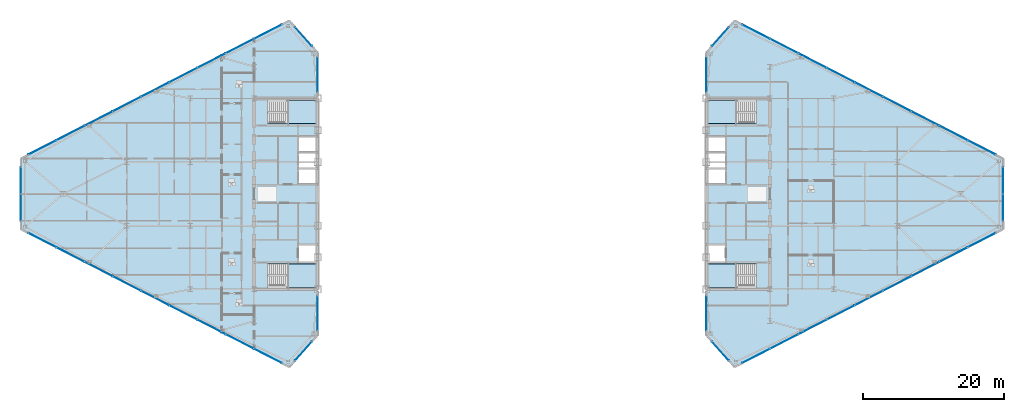
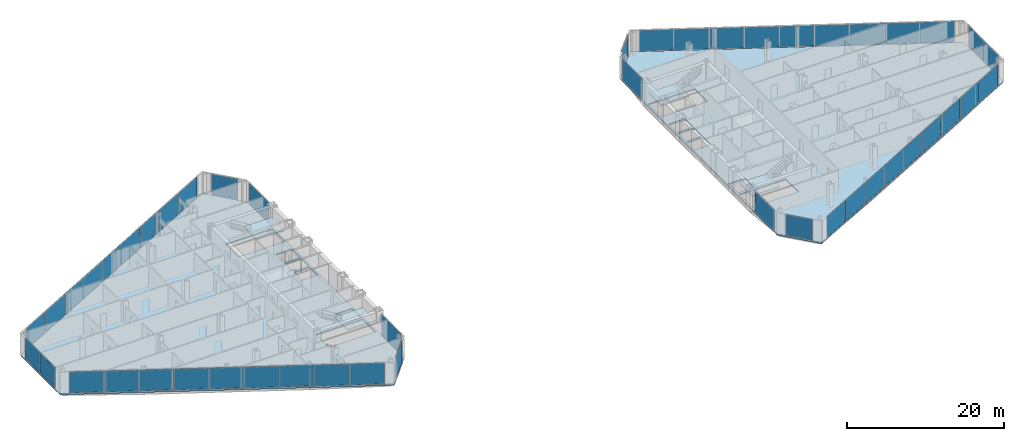
# One storey, part 14 of 23: 48 plates, 6 slabs, 18 elements without a shape of their own.
"""IFC4 building model written with IfcOpenShell, lengths in metres."""

from ifc_helpers import new_model, si_unit, direction, frame, origin, origin_2d, place, context, subcontext, project, spatial, polyline, rectangle, outline, extrude, source, transform, mapped, material, layer, layer_set, type_object, type_shapes, element, aggregate, save


model = new_model("IFC4")

# Units and contexts
model_context = context("Model", 3, precision=1e-05, world=origin(), true_north=direction((0.0, 1.0)))
body_context = subcontext(model_context, "Body", "Model", "MODEL_VIEW")
ifc_project = project(units=[si_unit("LENGTHUNIT", "METRE"), si_unit("AREAUNIT", "SQUARE_METRE"), si_unit("VOLUMEUNIT", "CUBIC_METRE"), si_unit("PLANEANGLEUNIT", "RADIAN"), si_unit("MASSUNIT", "GRAM", prefix="KILO")], contexts=[model_context])

# Site, building, storey
site_placement = place(None, origin())
site = spatial("IfcSite", under=ifc_project, at=site_placement, CompositionType="ELEMENT")
building_placement = place(site_placement, origin())
building = spatial("IfcBuilding", under=site, at=building_placement, Name="Seokmaru Belvedere", CompositionType="ELEMENT")
storey_placement = place(building_placement, frame((0.0, 0.0, 147.60009765625)))
storey = spatial("IfcBuildingStorey", under=building, at=storey_placement, Name="L39", CompositionType="ELEMENT", Elevation=147.60009765625)

# Stair, slab
ifc_material_1 = material(Name="Concrete C40 (40 MPa)", Category="concrete")
stair_type = type_object("IfcStairType", Name="Typical Tower Core Dog-Leg Stair 3600", PredefinedType="TWO_STRAIGHT_RUN_STAIR", material=ifc_material_1)
stair_1_placement = place(storey_placement, origin())
stair_1 = element("IfcStair", 1, at=stair_1_placement, inside=storey, type_object=stair_type, Name="L39 Special Escape Stair ST-W1", PredefinedType="TWO_STRAIGHT_RUN_STAIR")
ifc_layer_1 = layer(ifc_material_1, 0.199951171875)
ifc_layer_set_1 = layer_set([ifc_layer_1], Name="Concrete C40 (40 MPa)")
slab_type_1 = type_object("IfcSlabType", Name="Reinforced Concrete Stair Landing Slab 200", PredefinedType="LANDING", material=ifc_layer_set_1)
slab_1_placement = place(storey_placement, frame((0.0, 0.0, 1.599853515625)))
slab_1 = element("IfcSlab", 2, at=slab_1_placement, type_object=slab_type_1, Name="ST-W1 landing 1", PredefinedType="LANDING", context=body_context, shape_type="SweptSolid", body=[
    extrude(outline(polyline([(-31.8798828125, -13.239990234375), (-27.760009765625, -13.239990234375), (-27.760009765625, -9.949951171875), (-31.8798828125, -9.949951171875), (-31.8798828125, -13.239990234375)])), origin(), (0.0, 0.0, 1.0), 0.199951171875),
])
aggregate(stair_1, [slab_1])

stair_2_placement = place(storey_placement, origin())
stair_2 = element("IfcStair", 3, at=stair_2_placement, inside=storey, type_object=stair_type, Name="L39 Special Escape Stair ST-W2", PredefinedType="TWO_STRAIGHT_RUN_STAIR")
slab_2_placement = place(storey_placement, frame((0.0, 0.0, 1.599853515625)))
slab_2 = element("IfcSlab", 4, at=slab_2_placement, type_object=slab_type_1, Name="ST-W2 landing 1", PredefinedType="LANDING", context=body_context, shape_type="SweptSolid", body=[
    extrude(outline(polyline([(-31.8798828125, 9.949951171875), (-27.760009765625, 9.949951171875), (-27.760009765625, 13.239990234375), (-31.8798828125, 13.239990234375), (-31.8798828125, 9.949951171875)])), origin(), (0.0, 0.0, 1.0), 0.199951171875),
])
aggregate(stair_2, [slab_2])

stair_3_placement = place(storey_placement, origin())
stair_3 = element("IfcStair", 5, at=stair_3_placement, inside=storey, type_object=stair_type, Name="L39 Special Escape Stair ST-E1", PredefinedType="TWO_STRAIGHT_RUN_STAIR")
slab_3_placement = place(storey_placement, frame((0.0, 0.0, 1.599853515625)))
slab_3 = element("IfcSlab", 6, at=slab_3_placement, type_object=slab_type_1, Name="ST-E1 landing 1", PredefinedType="LANDING", context=body_context, shape_type="SweptSolid", body=[
    extrude(outline(polyline([(27.760009765625, -13.239990234375), (31.8798828125, -13.239990234375), (31.8798828125, -9.949951171875), (27.760009765625, -9.949951171875), (27.760009765625, -13.239990234375)])), origin(), (0.0, 0.0, 1.0), 0.199951171875),
])
aggregate(stair_3, [slab_3])

stair_4_placement = place(storey_placement, origin())
stair_4 = element("IfcStair", 7, at=stair_4_placement, inside=storey, type_object=stair_type, Name="L39 Special Escape Stair ST-E2", PredefinedType="TWO_STRAIGHT_RUN_STAIR")
slab_4_placement = place(storey_placement, frame((0.0, 0.0, 1.599853515625)))
slab_4 = element("IfcSlab", 8, at=slab_4_placement, type_object=slab_type_1, Name="ST-E2 landing 1", PredefinedType="LANDING", context=body_context, shape_type="SweptSolid", body=[
    extrude(outline(polyline([(27.760009765625, 9.949951171875), (31.8798828125, 9.949951171875), (31.8798828125, 13.239990234375), (27.760009765625, 13.239990234375), (27.760009765625, 9.949951171875)])), origin(), (0.0, 0.0, 1.0), 0.199951171875),
])
aggregate(stair_4, [slab_4])

# Slabs
ifc_layer_2 = layer(ifc_material_1, 0.219970703125)
ifc_layer_set_2 = layer_set([ifc_layer_2], Name="Concrete C40 (40 MPa)")
slab_type_2 = type_object("IfcSlabType", Name="Typical Tower Composite Floor Slab 220", PredefinedType="FLOOR", material=ifc_layer_set_2)
slab_5_placement = place(storey_placement, frame((0.0, 0.0, -0.22021484375)))
element("IfcSlab", 9, at=slab_5_placement, inside=storey, type_object=slab_type_2, Name="L39 West Leg Floor Slab", PredefinedType="FLOOR", context=body_context, shape_type="SweptSolid", body=[
    extrude(outline(polyline([(-27.5, -20.0), (-27.5, 20.0), (-31.5, 24.5), (-69.5, 5.0), (-69.5, -5.0), (-31.5, -24.5), (-27.5, -20.0)]), holes=[polyline([(-34.60009765625, -13.25), (-27.75, -13.25), (-27.75, -9.949951171875), (-34.60009765625, -9.949951171875), (-34.60009765625, -13.25)]), polyline([(-34.60009765625, 9.949951171875), (-27.75, 9.949951171875), (-27.75, 13.25), (-34.60009765625, 13.25), (-34.60009765625, 9.949951171875)]), polyline([(-30.14990234375, -9.550048828125), (-27.75, -9.550048828125), (-27.75, -7.25), (-30.14990234375, -7.25), (-30.14990234375, -9.550048828125)]), polyline([(-30.14990234375, 1.449951171875), (-27.75, 1.449951171875), (-27.75, 3.449951171875), (-30.14990234375, 3.449951171875), (-30.14990234375, 1.449951171875)]), polyline([(-30.14990234375, 3.75), (-27.75, 3.75), (-27.75, 5.75), (-30.14990234375, 5.75), (-30.14990234375, 3.75)]), polyline([(-30.14990234375, 6.050048828125), (-27.75, 6.050048828125), (-27.75, 8.050048828125), (-30.14990234375, 8.050048828125), (-30.14990234375, 6.050048828125)])]), origin(), (0.0, 0.0, 1.0), 0.22021484375),
])
slab_6_placement = place(storey_placement, frame((0.0, 0.0, -0.22021484375)))
element("IfcSlab", 10, at=slab_6_placement, inside=storey, type_object=slab_type_2, Name="L39 East Leg Floor Slab", PredefinedType="FLOOR", context=body_context, shape_type="SweptSolid", body=[
    extrude(outline(polyline([(31.5, -24.5), (69.5, -5.0), (69.5, 5.0), (31.5, 24.5), (27.5, 20.0), (27.5, -20.0), (31.5, -24.5)]), holes=[polyline([(27.75, -13.25), (34.60009765625, -13.25), (34.60009765625, -9.949951171875), (27.75, -9.949951171875), (27.75, -13.25)]), polyline([(27.75, 9.949951171875), (34.60009765625, 9.949951171875), (34.60009765625, 13.25), (27.75, 13.25), (27.75, 9.949951171875)]), polyline([(27.75, -9.550048828125), (30.14990234375, -9.550048828125), (30.14990234375, -7.25), (27.75, -7.25), (27.75, -9.550048828125)]), polyline([(27.75, 1.449951171875), (30.14990234375, 1.449951171875), (30.14990234375, 3.449951171875), (27.75, 3.449951171875), (27.75, 1.449951171875)]), polyline([(27.75, 3.75), (30.14990234375, 3.75), (30.14990234375, 5.75), (27.75, 5.75), (27.75, 3.75)]), polyline([(27.75, 6.050048828125), (30.14990234375, 6.050048828125), (30.14990234375, 8.050048828125), (27.75, 8.050048828125), (27.75, 6.050048828125)])]), origin(), (0.0, 0.0, 1.0), 0.22021484375),
])

# Curtain wall, plate
ifc_material_2 = material(Name="Bronze Triple Insulating Glass", Category="glass")
ifc_layer_3 = layer(ifc_material_2, 0.195068359375)
ifc_layer_set_3 = layer_set([ifc_layer_3], Name="Bronze Triple Insulating Glass")
curtain_wall_type = type_object("IfcCurtainWallType", Name="Sky-Lobby and Mid-Rise Curtain Wall System CW-4", PredefinedType="NOTDEFINED", material=ifc_layer_set_3)
curtain_wall_1_placement = place(storey_placement, origin())
curtain_wall_1 = element("IfcCurtainWall", 11, at=curtain_wall_1_placement, inside=storey, type_object=curtain_wall_type, Name="L39 Curtain Wall WF2", PredefinedType="NOTDEFINED")
ifc_layer_4 = layer(ifc_material_2, 0.035888671875)
ifc_layer_set_4 = layer_set([ifc_layer_4], Name="Bronze Triple Insulating Glass")
plate_type = type_object("IfcPlateType", Name="Bronze Triple Vision Glazing Panel 36", PredefinedType="CURTAIN_PANEL", material=ifc_layer_set_4)
shared_shape_1 = source(origin(), body_context, "Body", "SweptSolid", [
    extrude(rectangle(XDim=3.580810546875, YDim=0.035888671875, at=origin_2d()), origin(), (0.0, 0.0, 1.0), 3.25),
])
plate_1_placement = place(storey_placement, frame((-29.5, 22.25, 0.06494140625), z_axis=(0.0, 0.0, 1.0), x_axis=(-0.664363325694, 0.747409774804, 0.0)))
plate_1 = element("IfcPlate", 12, at=plate_1_placement, type_object=plate_type, Name="CW:L39:WF2 Glazing Panel 1-1", PredefinedType="CURTAIN_PANEL", context=body_context, shape_type="MappedRepresentation", body=[
    mapped(shared_shape_1, transform((0.0, 0.0, 0.0), scale=1.0)),
])
aggregate(curtain_wall_1, [plate_1])

curtain_wall_2_placement = place(storey_placement, origin())
curtain_wall_2 = element("IfcCurtainWall", 13, at=curtain_wall_2_placement, inside=storey, type_object=curtain_wall_type, Name="L39 Curtain Wall WF6", PredefinedType="NOTDEFINED")
plate_2_placement = place(storey_placement, frame((-29.5, -22.25, 0.06494140625), z_axis=(0.0, 0.0, 1.0), x_axis=(0.664363325694, 0.747409774804, 0.0)))
plate_2 = element("IfcPlate", 14, at=plate_2_placement, type_object=plate_type, Name="CW:L39:WF6 Glazing Panel 1-1", PredefinedType="CURTAIN_PANEL", context=body_context, shape_type="MappedRepresentation", body=[
    mapped(shared_shape_1, transform((0.0, 0.0, 0.0), scale=1.0)),
])
aggregate(curtain_wall_2, [plate_2])

curtain_wall_3_placement = place(storey_placement, origin())
curtain_wall_3 = element("IfcCurtainWall", 15, at=curtain_wall_3_placement, inside=storey, type_object=curtain_wall_type, Name="L39 Curtain Wall EF4", PredefinedType="NOTDEFINED")
plate_3_placement = place(storey_placement, frame((29.5, 22.25, 0.06494140625), z_axis=(0.0, 0.0, 1.0), x_axis=(-0.664363325694, -0.747409774804, 0.0)))
plate_3 = element("IfcPlate", 16, at=plate_3_placement, type_object=plate_type, Name="CW:L39:EF4 Glazing Panel 1-1", PredefinedType="CURTAIN_PANEL", context=body_context, shape_type="MappedRepresentation", body=[
    mapped(shared_shape_1, transform((0.0, 0.0, 0.0), scale=1.0)),
])
aggregate(curtain_wall_3, [plate_3])

curtain_wall_4_placement = place(storey_placement, origin())
curtain_wall_4 = element("IfcCurtainWall", 17, at=curtain_wall_4_placement, inside=storey, type_object=curtain_wall_type, Name="L39 Curtain Wall EF6", PredefinedType="NOTDEFINED")
plate_4_placement = place(storey_placement, frame((29.5, -22.25, 0.06494140625), z_axis=(0.0, 0.0, 1.0), x_axis=(0.664363325694, -0.747409774804, 0.0)))
plate_4 = element("IfcPlate", 18, at=plate_4_placement, type_object=plate_type, Name="CW:L39:EF6 Glazing Panel 1-1", PredefinedType="CURTAIN_PANEL", context=body_context, shape_type="MappedRepresentation", body=[
    mapped(shared_shape_1, transform((0.0, 0.0, 0.0), scale=1.0)),
])
aggregate(curtain_wall_4, [plate_4])

# Curtain wall, plates
curtain_wall_5_placement = place(storey_placement, origin())
curtain_wall_5 = element("IfcCurtainWall", 19, at=curtain_wall_5_placement, inside=storey, type_object=curtain_wall_type, Name="L39 Curtain Wall WF3", PredefinedType="NOTDEFINED")
shared_shape_2 = source(origin(), body_context, "Body", "SweptSolid", [
    extrude(rectangle(XDim=4.38525390625, YDim=0.035888671875, at=origin_2d()), origin(), (0.0, 0.0, 1.0), 3.25),
])
plate_5_placement = place(storey_placement, frame((-34.5361328125, 22.94189453125, 0.06494140625), z_axis=(0.0, 0.0, 1.0), x_axis=(-0.889695432562, -0.456554528263, 0.0)))
plate_5 = element("IfcPlate", 20, at=plate_5_placement, type_object=plate_type, Name="CW:L39:WF3 Glazing Panel 1-1", PredefinedType="CURTAIN_PANEL", context=body_context, shape_type="MappedRepresentation", body=[
    mapped(shared_shape_2, transform((0.0, 0.0, 0.0), scale=1.0)),
])
plate_6_placement = place(storey_placement, frame((-66.4638671875, 6.55810546875, 0.06494140625), z_axis=(0.0, 0.0, 1.0), x_axis=(-0.889695432562, -0.456554528263, 0.0)))
plate_6 = element("IfcPlate", 21, at=plate_6_placement, type_object=plate_type, Name="CW:L39:WF3 Glazing Panel 9-1", PredefinedType="CURTAIN_PANEL", context=body_context, shape_type="MappedRepresentation", body=[
    mapped(shared_shape_2, transform((0.0, 0.0, 0.0), scale=1.0)),
])

curtain_wall_6_placement = place(storey_placement, origin())
curtain_wall_6 = element("IfcCurtainWall", 22, at=curtain_wall_6_placement, inside=storey, type_object=curtain_wall_type, Name="L39 Curtain Wall WF5", PredefinedType="NOTDEFINED")
plate_7_placement = place(storey_placement, frame((-66.4638671875, -6.55810546875, 0.06494140625), z_axis=(0.0, 0.0, 1.0), x_axis=(0.889695432562, -0.456554528263, 0.0)))
plate_7 = element("IfcPlate", 23, at=plate_7_placement, type_object=plate_type, Name="CW:L39:WF5 Glazing Panel 1-1", PredefinedType="CURTAIN_PANEL", context=body_context, shape_type="MappedRepresentation", body=[
    mapped(shared_shape_2, transform((0.0, 0.0, 0.0), scale=1.0)),
])
plate_8_placement = place(storey_placement, frame((-34.5361328125, -22.94189453125, 0.06494140625), z_axis=(0.0, 0.0, 1.0), x_axis=(0.889695432562, -0.456554528263, 0.0)))
plate_8 = element("IfcPlate", 24, at=plate_8_placement, type_object=plate_type, Name="CW:L39:WF5 Glazing Panel 9-1", PredefinedType="CURTAIN_PANEL", context=body_context, shape_type="MappedRepresentation", body=[
    mapped(shared_shape_2, transform((0.0, 0.0, 0.0), scale=1.0)),
])

curtain_wall_7_placement = place(storey_placement, origin())
curtain_wall_7 = element("IfcCurtainWall", 25, at=curtain_wall_7_placement, inside=storey, type_object=curtain_wall_type, Name="L39 Curtain Wall EF1", PredefinedType="NOTDEFINED")
plate_9_placement = place(storey_placement, frame((34.5361328125, -22.94189453125, 0.06494140625), z_axis=(0.0, 0.0, 1.0), x_axis=(0.889695432562, 0.456554528263, 0.0)))
plate_9 = element("IfcPlate", 26, at=plate_9_placement, type_object=plate_type, Name="CW:L39:EF1 Glazing Panel 1-1", PredefinedType="CURTAIN_PANEL", context=body_context, shape_type="MappedRepresentation", body=[
    mapped(shared_shape_2, transform((0.0, 0.0, 0.0), scale=1.0)),
])
plate_10_placement = place(storey_placement, frame((66.4638671875, -6.55810546875, 0.06494140625), z_axis=(0.0, 0.0, 1.0), x_axis=(0.889695432562, 0.456554528263, 0.0)))
plate_10 = element("IfcPlate", 27, at=plate_10_placement, type_object=plate_type, Name="CW:L39:EF1 Glazing Panel 9-1", PredefinedType="CURTAIN_PANEL", context=body_context, shape_type="MappedRepresentation", body=[
    mapped(shared_shape_2, transform((0.0, 0.0, 0.0), scale=1.0)),
])

curtain_wall_8_placement = place(storey_placement, origin())
curtain_wall_8 = element("IfcCurtainWall", 28, at=curtain_wall_8_placement, inside=storey, type_object=curtain_wall_type, Name="L39 Curtain Wall EF3", PredefinedType="NOTDEFINED")
plate_11_placement = place(storey_placement, frame((66.4638671875, 6.55810546875, 0.06494140625), z_axis=(0.0, 0.0, 1.0), x_axis=(-0.889695432562, 0.456554528263, 0.0)))
plate_11 = element("IfcPlate", 29, at=plate_11_placement, type_object=plate_type, Name="CW:L39:EF3 Glazing Panel 1-1", PredefinedType="CURTAIN_PANEL", context=body_context, shape_type="MappedRepresentation", body=[
    mapped(shared_shape_2, transform((0.0, 0.0, 0.0), scale=1.0)),
])
plate_12_placement = place(storey_placement, frame((34.5361328125, 22.94189453125, 0.06494140625), z_axis=(0.0, 0.0, 1.0), x_axis=(-0.889695432562, 0.456554528263, 0.0)))
plate_12 = element("IfcPlate", 30, at=plate_12_placement, type_object=plate_type, Name="CW:L39:EF3 Glazing Panel 9-1", PredefinedType="CURTAIN_PANEL", context=body_context, shape_type="MappedRepresentation", body=[
    mapped(shared_shape_2, transform((0.0, 0.0, 0.0), scale=1.0)),
])

# Plate
shared_shape_3 = source(origin(), body_context, "Body", "SweptSolid", [
    extrude(rectangle(XDim=4.420166015625, YDim=0.035888671875, at=origin_2d()), origin(), (0.0, 0.0, 1.0), 3.25),
])
plate_13_placement = place(storey_placement, frame((-38.515380859375, 20.89990234375, 0.06494140625), z_axis=(0.0, 0.0, 1.0), x_axis=(-0.889695432562, -0.456554528263, 0.0)))
plate_13 = element("IfcPlate", 31, at=plate_13_placement, type_object=plate_type, Name="CW:L39:WF3 Glazing Panel 2-1", PredefinedType="CURTAIN_PANEL", context=body_context, shape_type="MappedRepresentation", body=[
    mapped(shared_shape_3, transform((0.0, 0.0, 0.0), scale=1.0)),
])

plate_14_placement = place(storey_placement, frame((-42.51025390625, 18.85009765625, 0.06494140625), z_axis=(0.0, 0.0, 1.0), x_axis=(-0.889695432562, -0.456554528263, 0.0)))
plate_14 = element("IfcPlate", 32, at=plate_14_placement, type_object=plate_type, Name="CW:L39:WF3 Glazing Panel 3-1", PredefinedType="CURTAIN_PANEL", context=body_context, shape_type="MappedRepresentation", body=[
    mapped(shared_shape_3, transform((0.0, 0.0, 0.0), scale=1.0)),
])

plate_15_placement = place(storey_placement, frame((-46.505126953125, 16.800048828125, 0.06494140625), z_axis=(0.0, 0.0, 1.0), x_axis=(-0.889695432562, -0.456554528263, 0.0)))
plate_15 = element("IfcPlate", 33, at=plate_15_placement, type_object=plate_type, Name="CW:L39:WF3 Glazing Panel 4-1", PredefinedType="CURTAIN_PANEL", context=body_context, shape_type="MappedRepresentation", body=[
    mapped(shared_shape_3, transform((0.0, 0.0, 0.0), scale=1.0)),
])

plate_16_placement = place(storey_placement, frame((-50.5, 14.75, 0.06494140625), z_axis=(0.0, 0.0, 1.0), x_axis=(-0.889695432562, -0.456554528263, 0.0)))
plate_16 = element("IfcPlate", 34, at=plate_16_placement, type_object=plate_type, Name="CW:L39:WF3 Glazing Panel 5-1", PredefinedType="CURTAIN_PANEL", context=body_context, shape_type="MappedRepresentation", body=[
    mapped(shared_shape_3, transform((0.0, 0.0, 0.0), scale=1.0)),
])

plate_17_placement = place(storey_placement, frame((-54.494873046875, 12.699951171875, 0.06494140625), z_axis=(0.0, 0.0, 1.0), x_axis=(-0.889695432562, -0.456554528263, 0.0)))
plate_17 = element("IfcPlate", 35, at=plate_17_placement, type_object=plate_type, Name="CW:L39:WF3 Glazing Panel 6-1", PredefinedType="CURTAIN_PANEL", context=body_context, shape_type="MappedRepresentation", body=[
    mapped(shared_shape_3, transform((0.0, 0.0, 0.0), scale=1.0)),
])

plate_18_placement = place(storey_placement, frame((-58.48974609375, 10.64990234375, 0.06494140625), z_axis=(0.0, 0.0, 1.0), x_axis=(-0.889695432562, -0.456554528263, 0.0)))
plate_18 = element("IfcPlate", 36, at=plate_18_placement, type_object=plate_type, Name="CW:L39:WF3 Glazing Panel 7-1", PredefinedType="CURTAIN_PANEL", context=body_context, shape_type="MappedRepresentation", body=[
    mapped(shared_shape_3, transform((0.0, 0.0, 0.0), scale=1.0)),
])

plate_19_placement = place(storey_placement, frame((-62.484619140625, 8.60009765625, 0.06494140625), z_axis=(0.0, 0.0, 1.0), x_axis=(-0.889695432562, -0.456554528263, 0.0)))
plate_19 = element("IfcPlate", 37, at=plate_19_placement, type_object=plate_type, Name="CW:L39:WF3 Glazing Panel 8-1", PredefinedType="CURTAIN_PANEL", context=body_context, shape_type="MappedRepresentation", body=[
    mapped(shared_shape_3, transform((0.0, 0.0, 0.0), scale=1.0)),
])

aggregate(curtain_wall_5, [plate_5, plate_13, plate_14, plate_15, plate_16, plate_17, plate_18, plate_19, plate_6])

plate_20_placement = place(storey_placement, frame((-62.484619140625, -8.60009765625, 0.06494140625), z_axis=(0.0, 0.0, 1.0), x_axis=(0.889695432562, -0.456554528263, 0.0)))
plate_20 = element("IfcPlate", 38, at=plate_20_placement, type_object=plate_type, Name="CW:L39:WF5 Glazing Panel 2-1", PredefinedType="CURTAIN_PANEL", context=body_context, shape_type="MappedRepresentation", body=[
    mapped(shared_shape_3, transform((0.0, 0.0, 0.0), scale=1.0)),
])

plate_21_placement = place(storey_placement, frame((-58.48974609375, -10.64990234375, 0.06494140625), z_axis=(0.0, 0.0, 1.0), x_axis=(0.889695432562, -0.456554528263, 0.0)))
plate_21 = element("IfcPlate", 39, at=plate_21_placement, type_object=plate_type, Name="CW:L39:WF5 Glazing Panel 3-1", PredefinedType="CURTAIN_PANEL", context=body_context, shape_type="MappedRepresentation", body=[
    mapped(shared_shape_3, transform((0.0, 0.0, 0.0), scale=1.0)),
])

plate_22_placement = place(storey_placement, frame((-54.494873046875, -12.699951171875, 0.06494140625), z_axis=(0.0, 0.0, 1.0), x_axis=(0.889695432562, -0.456554528263, 0.0)))
plate_22 = element("IfcPlate", 40, at=plate_22_placement, type_object=plate_type, Name="CW:L39:WF5 Glazing Panel 4-1", PredefinedType="CURTAIN_PANEL", context=body_context, shape_type="MappedRepresentation", body=[
    mapped(shared_shape_3, transform((0.0, 0.0, 0.0), scale=1.0)),
])

plate_23_placement = place(storey_placement, frame((-50.5, -14.75, 0.06494140625), z_axis=(0.0, 0.0, 1.0), x_axis=(0.889695432562, -0.456554528263, 0.0)))
plate_23 = element("IfcPlate", 41, at=plate_23_placement, type_object=plate_type, Name="CW:L39:WF5 Glazing Panel 5-1", PredefinedType="CURTAIN_PANEL", context=body_context, shape_type="MappedRepresentation", body=[
    mapped(shared_shape_3, transform((0.0, 0.0, 0.0), scale=1.0)),
])

plate_24_placement = place(storey_placement, frame((-46.505126953125, -16.800048828125, 0.06494140625), z_axis=(0.0, 0.0, 1.0), x_axis=(0.889695432562, -0.456554528263, 0.0)))
plate_24 = element("IfcPlate", 42, at=plate_24_placement, type_object=plate_type, Name="CW:L39:WF5 Glazing Panel 6-1", PredefinedType="CURTAIN_PANEL", context=body_context, shape_type="MappedRepresentation", body=[
    mapped(shared_shape_3, transform((0.0, 0.0, 0.0), scale=1.0)),
])

plate_25_placement = place(storey_placement, frame((-42.51025390625, -18.85009765625, 0.06494140625), z_axis=(0.0, 0.0, 1.0), x_axis=(0.889695432562, -0.456554528263, 0.0)))
plate_25 = element("IfcPlate", 43, at=plate_25_placement, type_object=plate_type, Name="CW:L39:WF5 Glazing Panel 7-1", PredefinedType="CURTAIN_PANEL", context=body_context, shape_type="MappedRepresentation", body=[
    mapped(shared_shape_3, transform((0.0, 0.0, 0.0), scale=1.0)),
])

plate_26_placement = place(storey_placement, frame((-38.515380859375, -20.89990234375, 0.06494140625), z_axis=(0.0, 0.0, 1.0), x_axis=(0.889695432562, -0.456554528263, 0.0)))
plate_26 = element("IfcPlate", 44, at=plate_26_placement, type_object=plate_type, Name="CW:L39:WF5 Glazing Panel 8-1", PredefinedType="CURTAIN_PANEL", context=body_context, shape_type="MappedRepresentation", body=[
    mapped(shared_shape_3, transform((0.0, 0.0, 0.0), scale=1.0)),
])

aggregate(curtain_wall_6, [plate_7, plate_20, plate_21, plate_22, plate_23, plate_24, plate_25, plate_26, plate_8])

plate_27_placement = place(storey_placement, frame((38.515380859375, -20.89990234375, 0.06494140625), z_axis=(0.0, 0.0, 1.0), x_axis=(0.889695432562, 0.456554528263, 0.0)))
plate_27 = element("IfcPlate", 45, at=plate_27_placement, type_object=plate_type, Name="CW:L39:EF1 Glazing Panel 2-1", PredefinedType="CURTAIN_PANEL", context=body_context, shape_type="MappedRepresentation", body=[
    mapped(shared_shape_3, transform((0.0, 0.0, 0.0), scale=1.0)),
])

plate_28_placement = place(storey_placement, frame((42.51025390625, -18.85009765625, 0.06494140625), z_axis=(0.0, 0.0, 1.0), x_axis=(0.889695432562, 0.456554528263, 0.0)))
plate_28 = element("IfcPlate", 46, at=plate_28_placement, type_object=plate_type, Name="CW:L39:EF1 Glazing Panel 3-1", PredefinedType="CURTAIN_PANEL", context=body_context, shape_type="MappedRepresentation", body=[
    mapped(shared_shape_3, transform((0.0, 0.0, 0.0), scale=1.0)),
])

plate_29_placement = place(storey_placement, frame((46.505126953125, -16.800048828125, 0.06494140625), z_axis=(0.0, 0.0, 1.0), x_axis=(0.889695432562, 0.456554528263, 0.0)))
plate_29 = element("IfcPlate", 47, at=plate_29_placement, type_object=plate_type, Name="CW:L39:EF1 Glazing Panel 4-1", PredefinedType="CURTAIN_PANEL", context=body_context, shape_type="MappedRepresentation", body=[
    mapped(shared_shape_3, transform((0.0, 0.0, 0.0), scale=1.0)),
])

plate_30_placement = place(storey_placement, frame((50.5, -14.75, 0.06494140625), z_axis=(0.0, 0.0, 1.0), x_axis=(0.889695432562, 0.456554528263, 0.0)))
plate_30 = element("IfcPlate", 48, at=plate_30_placement, type_object=plate_type, Name="CW:L39:EF1 Glazing Panel 5-1", PredefinedType="CURTAIN_PANEL", context=body_context, shape_type="MappedRepresentation", body=[
    mapped(shared_shape_3, transform((0.0, 0.0, 0.0), scale=1.0)),
])

plate_31_placement = place(storey_placement, frame((54.494873046875, -12.699951171875, 0.06494140625), z_axis=(0.0, 0.0, 1.0), x_axis=(0.889695432562, 0.456554528263, 0.0)))
plate_31 = element("IfcPlate", 49, at=plate_31_placement, type_object=plate_type, Name="CW:L39:EF1 Glazing Panel 6-1", PredefinedType="CURTAIN_PANEL", context=body_context, shape_type="MappedRepresentation", body=[
    mapped(shared_shape_3, transform((0.0, 0.0, 0.0), scale=1.0)),
])

plate_32_placement = place(storey_placement, frame((58.48974609375, -10.64990234375, 0.06494140625), z_axis=(0.0, 0.0, 1.0), x_axis=(0.889695432562, 0.456554528263, 0.0)))
plate_32 = element("IfcPlate", 50, at=plate_32_placement, type_object=plate_type, Name="CW:L39:EF1 Glazing Panel 7-1", PredefinedType="CURTAIN_PANEL", context=body_context, shape_type="MappedRepresentation", body=[
    mapped(shared_shape_3, transform((0.0, 0.0, 0.0), scale=1.0)),
])

plate_33_placement = place(storey_placement, frame((62.484619140625, -8.60009765625, 0.06494140625), z_axis=(0.0, 0.0, 1.0), x_axis=(0.889695432562, 0.456554528263, 0.0)))
plate_33 = element("IfcPlate", 51, at=plate_33_placement, type_object=plate_type, Name="CW:L39:EF1 Glazing Panel 8-1", PredefinedType="CURTAIN_PANEL", context=body_context, shape_type="MappedRepresentation", body=[
    mapped(shared_shape_3, transform((0.0, 0.0, 0.0), scale=1.0)),
])

aggregate(curtain_wall_7, [plate_9, plate_27, plate_28, plate_29, plate_30, plate_31, plate_32, plate_33, plate_10])

plate_34_placement = place(storey_placement, frame((62.484619140625, 8.60009765625, 0.06494140625), z_axis=(0.0, 0.0, 1.0), x_axis=(-0.889695432562, 0.456554528263, 0.0)))
plate_34 = element("IfcPlate", 52, at=plate_34_placement, type_object=plate_type, Name="CW:L39:EF3 Glazing Panel 2-1", PredefinedType="CURTAIN_PANEL", context=body_context, shape_type="MappedRepresentation", body=[
    mapped(shared_shape_3, transform((0.0, 0.0, 0.0), scale=1.0)),
])

plate_35_placement = place(storey_placement, frame((58.48974609375, 10.64990234375, 0.06494140625), z_axis=(0.0, 0.0, 1.0), x_axis=(-0.889695432562, 0.456554528263, 0.0)))
plate_35 = element("IfcPlate", 53, at=plate_35_placement, type_object=plate_type, Name="CW:L39:EF3 Glazing Panel 3-1", PredefinedType="CURTAIN_PANEL", context=body_context, shape_type="MappedRepresentation", body=[
    mapped(shared_shape_3, transform((0.0, 0.0, 0.0), scale=1.0)),
])

plate_36_placement = place(storey_placement, frame((54.494873046875, 12.699951171875, 0.06494140625), z_axis=(0.0, 0.0, 1.0), x_axis=(-0.889695432562, 0.456554528263, 0.0)))
plate_36 = element("IfcPlate", 54, at=plate_36_placement, type_object=plate_type, Name="CW:L39:EF3 Glazing Panel 4-1", PredefinedType="CURTAIN_PANEL", context=body_context, shape_type="MappedRepresentation", body=[
    mapped(shared_shape_3, transform((0.0, 0.0, 0.0), scale=1.0)),
])

plate_37_placement = place(storey_placement, frame((50.5, 14.75, 0.06494140625), z_axis=(0.0, 0.0, 1.0), x_axis=(-0.889695432562, 0.456554528263, 0.0)))
plate_37 = element("IfcPlate", 55, at=plate_37_placement, type_object=plate_type, Name="CW:L39:EF3 Glazing Panel 5-1", PredefinedType="CURTAIN_PANEL", context=body_context, shape_type="MappedRepresentation", body=[
    mapped(shared_shape_3, transform((0.0, 0.0, 0.0), scale=1.0)),
])

plate_38_placement = place(storey_placement, frame((46.505126953125, 16.800048828125, 0.06494140625), z_axis=(0.0, 0.0, 1.0), x_axis=(-0.889695432562, 0.456554528263, 0.0)))
plate_38 = element("IfcPlate", 56, at=plate_38_placement, type_object=plate_type, Name="CW:L39:EF3 Glazing Panel 6-1", PredefinedType="CURTAIN_PANEL", context=body_context, shape_type="MappedRepresentation", body=[
    mapped(shared_shape_3, transform((0.0, 0.0, 0.0), scale=1.0)),
])

plate_39_placement = place(storey_placement, frame((42.51025390625, 18.85009765625, 0.06494140625), z_axis=(0.0, 0.0, 1.0), x_axis=(-0.889695432562, 0.456554528263, 0.0)))
plate_39 = element("IfcPlate", 57, at=plate_39_placement, type_object=plate_type, Name="CW:L39:EF3 Glazing Panel 7-1", PredefinedType="CURTAIN_PANEL", context=body_context, shape_type="MappedRepresentation", body=[
    mapped(shared_shape_3, transform((0.0, 0.0, 0.0), scale=1.0)),
])

plate_40_placement = place(storey_placement, frame((38.515380859375, 20.89990234375, 0.06494140625), z_axis=(0.0, 0.0, 1.0), x_axis=(-0.889695432562, 0.456554528263, 0.0)))
plate_40 = element("IfcPlate", 58, at=plate_40_placement, type_object=plate_type, Name="CW:L39:EF3 Glazing Panel 8-1", PredefinedType="CURTAIN_PANEL", context=body_context, shape_type="MappedRepresentation", body=[
    mapped(shared_shape_3, transform((0.0, 0.0, 0.0), scale=1.0)),
])

aggregate(curtain_wall_8, [plate_11, plate_34, plate_35, plate_36, plate_37, plate_38, plate_39, plate_40, plate_12])

# Curtain wall, plates
curtain_wall_9_placement = place(storey_placement, origin())
curtain_wall_9 = element("IfcCurtainWall", 59, at=curtain_wall_9_placement, inside=storey, type_object=curtain_wall_type, Name="L39 Curtain Wall WF4", PredefinedType="NOTDEFINED")
shared_shape_4 = source(origin(), body_context, "Body", "SweptSolid", [
    extrude(rectangle(XDim=3.7451171875, YDim=0.035888671875, at=origin_2d()), origin(), (0.0, 0.0, 1.0), 3.25),
])
plate_41_placement = place(storey_placement, frame((-69.5, 1.907470703125, 0.06494140625), z_axis=(0.0, 0.0, 1.0), x_axis=(0.0, -1.0, 0.0)))
plate_41 = element("IfcPlate", 60, at=plate_41_placement, type_object=plate_type, Name="CW:L39:WF4 Glazing Panel 1-1", PredefinedType="CURTAIN_PANEL", context=body_context, shape_type="MappedRepresentation", body=[
    mapped(shared_shape_4, transform((0.0, 0.0, 0.0), scale=1.0)),
])
plate_42_placement = place(storey_placement, frame((-69.5, -1.907470703125, 0.06494140625), z_axis=(0.0, 0.0, 1.0), x_axis=(0.0, -1.0, 0.0)))
plate_42 = element("IfcPlate", 61, at=plate_42_placement, type_object=plate_type, Name="CW:L39:WF4 Glazing Panel 2-1", PredefinedType="CURTAIN_PANEL", context=body_context, shape_type="MappedRepresentation", body=[
    mapped(shared_shape_4, transform((0.0, 0.0, 0.0), scale=1.0)),
])
aggregate(curtain_wall_9, [plate_41, plate_42])

curtain_wall_10_placement = place(storey_placement, origin())
curtain_wall_10 = element("IfcCurtainWall", 62, at=curtain_wall_10_placement, inside=storey, type_object=curtain_wall_type, Name="L39 Curtain Wall EF2", PredefinedType="NOTDEFINED")
plate_43_placement = place(storey_placement, frame((69.5, -1.907470703125, 0.06494140625), z_axis=(0.0, 0.0, 1.0), x_axis=(0.0, 1.0, 0.0)))
plate_43 = element("IfcPlate", 63, at=plate_43_placement, type_object=plate_type, Name="CW:L39:EF2 Glazing Panel 1-1", PredefinedType="CURTAIN_PANEL", context=body_context, shape_type="MappedRepresentation", body=[
    mapped(shared_shape_4, transform((0.0, 0.0, 0.0), scale=1.0)),
])
plate_44_placement = place(storey_placement, frame((69.5, 1.907470703125, 0.06494140625), z_axis=(0.0, 0.0, 1.0), x_axis=(0.0, 1.0, 0.0)))
plate_44 = element("IfcPlate", 64, at=plate_44_placement, type_object=plate_type, Name="CW:L39:EF2 Glazing Panel 2-1", PredefinedType="CURTAIN_PANEL", context=body_context, shape_type="MappedRepresentation", body=[
    mapped(shared_shape_4, transform((0.0, 0.0, 0.0), scale=1.0)),
])
aggregate(curtain_wall_10, [plate_43, plate_44])

# Curtain wall, plate
curtain_wall_11_placement = place(storey_placement, origin())
curtain_wall_11 = element("IfcCurtainWall", 65, at=curtain_wall_11_placement, inside=storey, type_object=curtain_wall_type, Name="L39 Curtain Wall WSP_1", PredefinedType="NOTDEFINED")
shared_shape_5 = source(origin(), body_context, "Body", "SweptSolid", [
    extrude(rectangle(XDim=4.9599609375, YDim=0.035888671875, at=origin_2d()), origin(), (0.0, 0.0, 1.0), 3.25),
])
type_shapes(plate_type, [shared_shape_1, shared_shape_2, shared_shape_3, shared_shape_4, shared_shape_5])
plate_45_placement = place(storey_placement, frame((-27.5, -16.8798828125, 0.06494140625), z_axis=(0.0, 0.0, 1.0), x_axis=(0.0, 1.0, 0.0)))
plate_45 = element("IfcPlate", 66, at=plate_45_placement, type_object=plate_type, Name="CW:L39:WSP_1 Glazing Panel 1-1", PredefinedType="CURTAIN_PANEL", context=body_context, shape_type="MappedRepresentation", body=[
    mapped(shared_shape_5, transform((0.0, 0.0, 0.0), scale=1.0)),
])
aggregate(curtain_wall_11, [plate_45])

curtain_wall_12_placement = place(storey_placement, origin())
curtain_wall_12 = element("IfcCurtainWall", 67, at=curtain_wall_12_placement, inside=storey, type_object=curtain_wall_type, Name="L39 Curtain Wall WSP_2", PredefinedType="NOTDEFINED")
plate_46_placement = place(storey_placement, frame((-27.5, 16.8798828125, 0.06494140625), z_axis=(0.0, 0.0, 1.0), x_axis=(0.0, 1.0, 0.0)))
plate_46 = element("IfcPlate", 68, at=plate_46_placement, type_object=plate_type, Name="CW:L39:WSP_2 Glazing Panel 1-1", PredefinedType="CURTAIN_PANEL", context=body_context, shape_type="MappedRepresentation", body=[
    mapped(shared_shape_5, transform((0.0, 0.0, 0.0), scale=1.0)),
])
aggregate(curtain_wall_12, [plate_46])

curtain_wall_13_placement = place(storey_placement, origin())
curtain_wall_13 = element("IfcCurtainWall", 69, at=curtain_wall_13_placement, inside=storey, type_object=curtain_wall_type, Name="L39 Curtain Wall ESP_1", PredefinedType="NOTDEFINED")
plate_47_placement = place(storey_placement, frame((27.5, -16.8798828125, 0.06494140625), z_axis=(0.0, 0.0, 1.0), x_axis=(0.0, -1.0, 0.0)))
plate_47 = element("IfcPlate", 70, at=plate_47_placement, type_object=plate_type, Name="CW:L39:ESP_1 Glazing Panel 1-1", PredefinedType="CURTAIN_PANEL", context=body_context, shape_type="MappedRepresentation", body=[
    mapped(shared_shape_5, transform((0.0, 0.0, 0.0), scale=1.0)),
])
aggregate(curtain_wall_13, [plate_47])

curtain_wall_14_placement = place(storey_placement, origin())
curtain_wall_14 = element("IfcCurtainWall", 71, at=curtain_wall_14_placement, inside=storey, type_object=curtain_wall_type, Name="L39 Curtain Wall ESP_2", PredefinedType="NOTDEFINED")
plate_48_placement = place(storey_placement, frame((27.5, 16.8798828125, 0.06494140625), z_axis=(0.0, 0.0, 1.0), x_axis=(0.0, -1.0, 0.0)))
plate_48 = element("IfcPlate", 72, at=plate_48_placement, type_object=plate_type, Name="CW:L39:ESP_2 Glazing Panel 1-1", PredefinedType="CURTAIN_PANEL", context=body_context, shape_type="MappedRepresentation", body=[
    mapped(shared_shape_5, transform((0.0, 0.0, 0.0), scale=1.0)),
])
aggregate(curtain_wall_14, [plate_48])

save(model, "model.ifc")
